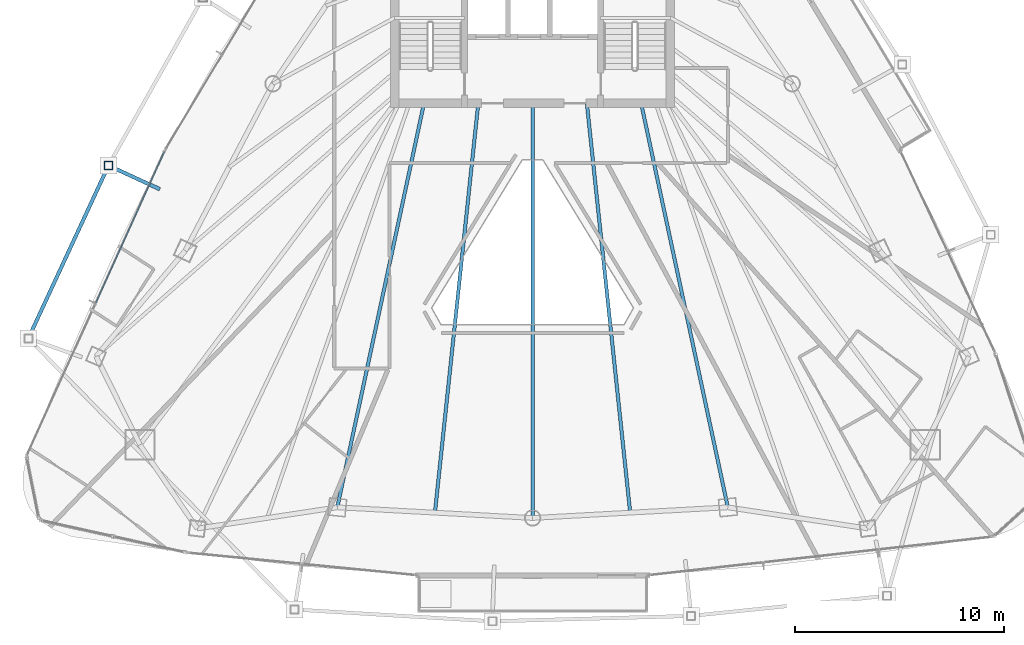
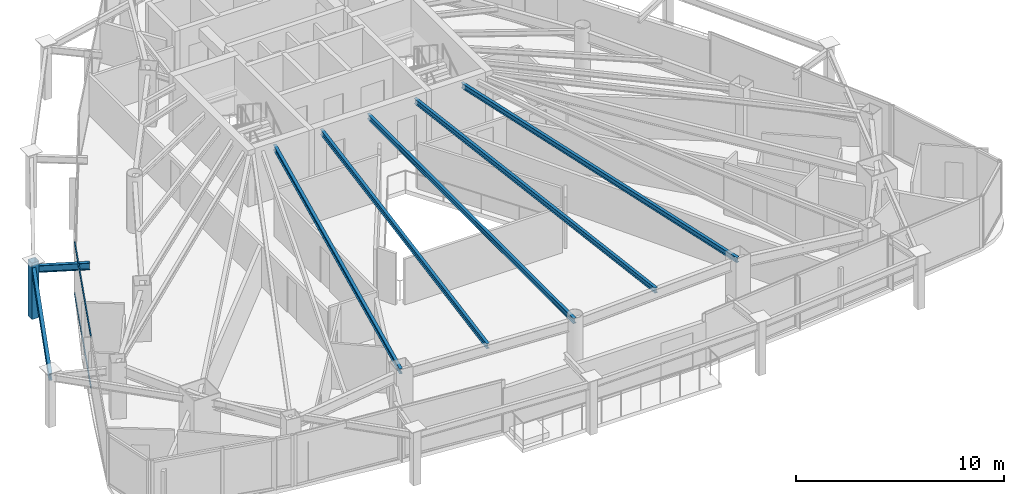
# One storey, part 9 of 31: 7 beams, 3 members, 1 element without a shape of its own.
"""IFC4 building model written with IfcOpenShell, lengths in metres."""

from ifc_helpers import new_model, si_unit, direction, frame, origin, origin_2d, place, context, subcontext, project, spatial, hollow_rectangle, i_section, extrude, material, layer, layer_set, material_profile, profile_set, type_object, element, aggregate, save


model = new_model("IFC4")

# Units and contexts
model_context = context("Model", 3, precision=1e-05, world=origin(), true_north=direction((0.0, 1.0)))
body_context = subcontext(model_context, "Body", "Model", "MODEL_VIEW")
ifc_project = project(units=[si_unit("LENGTHUNIT", "METRE"), si_unit("AREAUNIT", "SQUARE_METRE"), si_unit("VOLUMEUNIT", "CUBIC_METRE"), si_unit("PLANEANGLEUNIT", "RADIAN"), si_unit("MASSUNIT", "GRAM", prefix="KILO")], contexts=[model_context])

# Site, building, storey
site_placement = place(None, origin())
site = spatial("IfcSite", under=ifc_project, at=site_placement, CompositionType="ELEMENT")
building_placement = place(site_placement, origin())
building = spatial("IfcBuilding", under=site, at=building_placement, Name="Orvanel Arch Residences", CompositionType="ELEMENT")
storey_placement = place(building_placement, frame((0.0, 0.0, 183.64990234375)))
storey = spatial("IfcBuildingStorey", under=building, at=storey_placement, Name="L52", CompositionType="ELEMENT", Elevation=183.64990234375)

# Beams
ifc_material_1 = material(Name="Structural steel AS/NZS 3679.1 Grade 300 (300 MPa)", Category="steel")
ifc_material_profile_1 = material_profile(ifc_material_1, i_section(OverallWidth=0.1650390625, OverallDepth=0.303955078125, WebThickness=0.006103515625, FlangeThickness=0.01025390625, at=origin_2d()), Name="310UB40.4")
ifc_profile_set_1 = profile_set([ifc_material_profile_1], Name="Structural steel AS/NZS 3679.1 Grade 300 (300 MPa)")
beam_type_1 = type_object("IfcBeamType", Name="BJ-310UB", PredefinedType="JOIST", material=ifc_profile_set_1)
for number, where, z_axis, x_axis, name in (
    (1, (27.800048828125, 26.699951171875, 2.8681640625), (-0.209808012425, -0.977742603103, 0.0), (0.977742603103, -0.209808012425, 0.0), "L52 SW Wing Floor Joist"),
    (2, (38.199951171875, 26.699951171875, 2.8681640625), (0.209808012425, -0.977742603103, 0.0), (0.977742603103, 0.209808012425, 0.0), "L52 SE Wing Floor Joist"),
):
    element("IfcBeam", number, at=place(storey_placement, frame(where, z_axis=z_axis, x_axis=x_axis)), inside=storey, type_object=beam_type_1, Name=name, PredefinedType="JOIST", context=body_context, shape_type="SweptSolid", body=[
        extrude(i_section(OverallWidth=0.1650390625, OverallDepth=0.303955078125, WebThickness=0.006103515625, FlangeThickness=0.01025390625, at=origin_2d()), origin(), (0.0, 0.0, 1.0), 19.785400390625),
    ])
beam_1_placement = place(storey_placement, frame((33.0, 26.699951171875, 2.8681640625), z_axis=(0.0, -1.0, 0.0), x_axis=(1.0, 0.0, 0.0)))
element("IfcBeam", 3, at=beam_1_placement, inside=storey, type_object=beam_type_1, Name="L52 SSW Wing Floor Joist", PredefinedType="JOIST", context=body_context, shape_type="SweptSolid", body=[
    extrude(i_section(OverallWidth=0.1650390625, OverallDepth=0.303955078125, WebThickness=0.006103515625, FlangeThickness=0.01025390625, at=origin_2d()), origin(), (0.0, 0.0, 1.0), 19.85595703125),
])
for number, where, z_axis, x_axis, name in (
    (4, (30.39990234375, 26.699951171875, 2.8681640625), (-0.105277340935, -0.994442900063, 0.0), (0.994442900063, -0.105277340935, 0.0), "L52 WSW2 Wing Floor Joist"),
    (5, (35.60009765625, 26.699951171875, 2.8681640625), (0.105277340935, -0.994442900063, 0.0), (0.994442900063, 0.105277340935, 0.0), "L52 ESE2 Wing Floor Joist"),
):
    element("IfcBeam", number, at=place(storey_placement, frame(where, z_axis=z_axis, x_axis=x_axis)), inside=storey, type_object=beam_type_1, Name=name, PredefinedType="JOIST", context=body_context, shape_type="SweptSolid", body=[
        extrude(i_section(OverallWidth=0.1650390625, OverallDepth=0.303955078125, WebThickness=0.006103515625, FlangeThickness=0.01025390625, at=origin_2d()), origin(), (0.0, 0.0, 1.0), 19.70947265625),
    ])
ifc_material_profile_2 = material_profile(ifc_material_1, i_section(OverallWidth=0.177978515625, OverallDepth=0.406005859375, WebThickness=0.0078125, FlangeThickness=0.0126953125, at=origin_2d()), Name="410UB59.7")
ifc_profile_set_2 = profile_set([ifc_material_profile_2], Name="Structural steel AS/NZS 3679.1 Grade 300 (300 MPa)")
beam_type_2 = type_object("IfcBeamType", Name="OB-410UB-EXT", PredefinedType="SPANDREL", material=ifc_profile_set_2)
beam_2_placement = place(storey_placement, frame((15.154052734375, 22.5869140625, 2.817138671875), z_axis=(-0.908151687774, 0.418641268861, 0.0), x_axis=(-0.418641268861, -0.908151687774, 0.0)))
element("IfcBeam", 6, at=beam_2_placement, inside=storey, type_object=beam_type_2, Name="L52 Outer Frame Radial Tie Beam 03", PredefinedType="SPANDREL", context=body_context, shape_type="SweptSolid", body=[
    extrude(i_section(OverallWidth=0.177978515625, OverallDepth=0.406005859375, WebThickness=0.0078125, FlangeThickness=0.0126953125, at=origin_2d()), origin(), (0.0, 0.0, 1.0), 2.711181640625),
])
beam_3_placement = place(storey_placement, frame((12.69189453125, 23.721923828125, 2.817138671875), z_axis=(-0.420666248927, -0.907215468901, 0.0), x_axis=(0.907215468901, -0.420666248927, 0.0)))
element("IfcBeam", 7, at=beam_3_placement, inside=storey, type_object=beam_type_2, Name="L52 Outer Perimeter Floor Ring Beam 03", PredefinedType="SPANDREL", context=body_context, shape_type="SweptSolid", body=[
    extrude(i_section(OverallWidth=0.177978515625, OverallDepth=0.406005859375, WebThickness=0.0078125, FlangeThickness=0.0126953125, at=origin_2d()), origin(), (0.0, 0.0, 1.0), 9.123291015625),
])

# Member
ifc_material_2 = material(Name="Structural steel AS/NZS 1163 C450L0 (Grade 450)", Category="steel")
ifc_material_profile_3 = material_profile(ifc_material_2, hollow_rectangle(XDim=0.39990234375, YDim=0.39990234375, WallThickness=0.01611328125, at=origin_2d()), Name="SHS400x400x16")
ifc_profile_set_3 = profile_set([ifc_material_profile_3], Name="Structural steel AS/NZS 1163 C450L0 (Grade 450)")
member_type_1 = type_object("IfcMemberType", Name="ST-400SHS-EXT", PredefinedType="STRUT", material=ifc_profile_set_3)
member_1_placement = place(storey_placement, frame((12.69189453125, 23.721923828125, 0.0), z_axis=(0.0, 0.0, 1.0), x_axis=(1.0, 0.0, 0.0)))
element("IfcMember", 8, at=member_1_placement, inside=storey, type_object=member_type_1, Name="L52 Outer Perimeter Frame Post 03", PredefinedType="STRUT", context=body_context, shape_type="SweptSolid", body=[
    extrude(hollow_rectangle(XDim=0.39990234375, YDim=0.39990234375, WallThickness=0.01611328125, at=origin_2d()), origin(), (0.0, 0.0, 1.0), 3.300048828125),
])

# Curtain wall, members
ifc_material_3 = material(Name="Bronze-anodised aluminium AA6063-T6", Category="aluminium")
ifc_layer = layer(ifc_material_3, 0.179931640625)
ifc_layer_set = layer_set([ifc_layer], Name="Bronze-anodised aluminium AA6063-T6")
curtain_wall_type = type_object("IfcCurtainWallType", Name="CW3-MID-SYS", PredefinedType="NOTDEFINED", material=ifc_layer_set)
curtain_wall_placement = place(storey_placement, origin())
curtain_wall = element("IfcCurtainWall", 9, at=curtain_wall_placement, inside=storey, type_object=curtain_wall_type, Name="L52 CW3-MID-SYS Unitised Curtain Wall", PredefinedType="NOTDEFINED")
ifc_material_profile_4 = material_profile(ifc_material_3, hollow_rectangle(XDim=0.06005859375, YDim=0.135009765625, WallThickness=0.00390625, at=origin_2d()), Name="ALU135x60x4")
ifc_profile_set_4 = profile_set([ifc_material_profile_4], Name="Bronze-anodised aluminium AA6063-T6")
member_type_2 = type_object("IfcMemberType", Name="TRN-135x60", PredefinedType="USERDEFINED", material=ifc_profile_set_4)
member_2_placement = place(storey_placement, frame((15.361083984375, 24.375244140625, 0.030029296875), z_axis=(-0.412521061717, -0.910948063086, 0.0), x_axis=(0.910948063086, -0.412521061717, 0.0)))
member_2 = element("IfcMember", 10, at=member_2_placement, type_object=member_type_2, Name="CW-S3 transom 1.1", ObjectType="TRANSOM", PredefinedType="USERDEFINED", context=body_context, shape_type="SweptSolid", body=[
    extrude(hollow_rectangle(XDim=0.06005859375, YDim=0.135009765625, WallThickness=0.00390625, at=origin_2d()), origin(), (0.0, 0.0, 1.0), 7.92333984375),
])
member_3_placement = place(storey_placement, frame((15.361083984375, 24.375244140625, 2.989990234375), z_axis=(-0.412521061717, -0.910948063086, 0.0), x_axis=(0.910948063086, -0.412521061717, 0.0)))
member_3 = element("IfcMember", 11, at=member_3_placement, type_object=member_type_2, Name="CW-S3 transom 1.2", ObjectType="TRANSOM", PredefinedType="USERDEFINED", context=body_context, shape_type="SweptSolid", body=[
    extrude(hollow_rectangle(XDim=0.06005859375, YDim=0.135009765625, WallThickness=0.00390625, at=origin_2d()), origin(), (0.0, 0.0, 1.0), 7.92333984375),
])
aggregate(curtain_wall, [member_2, member_3])

save(model, "model.ifc")
